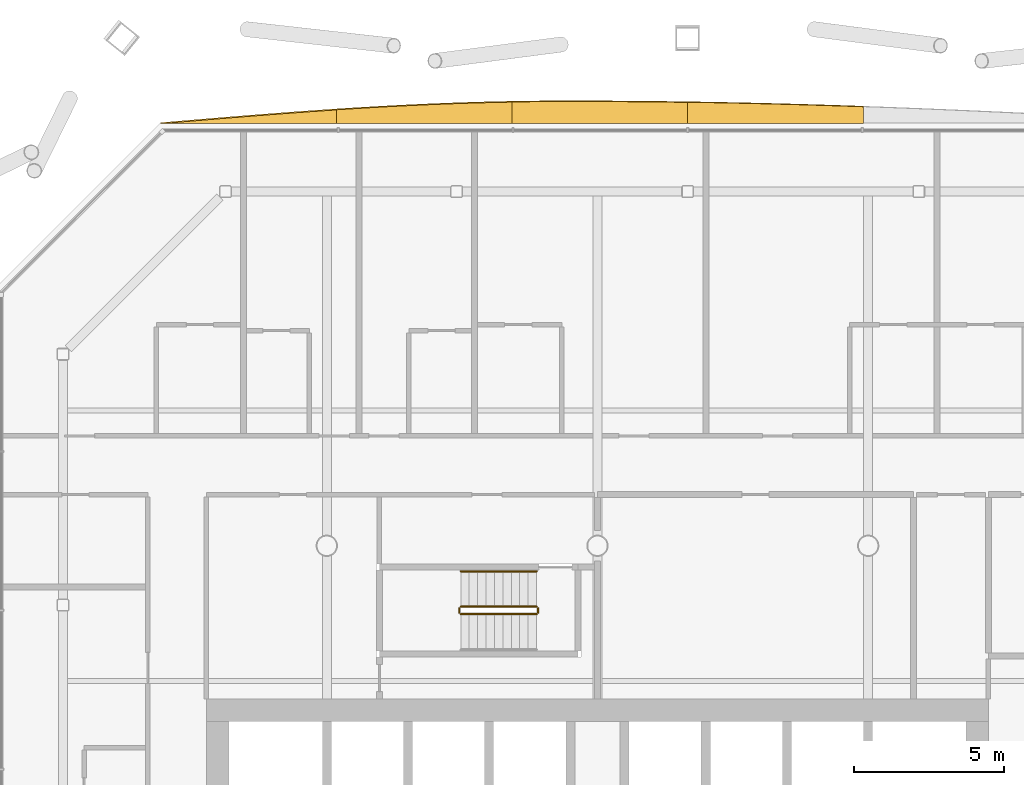
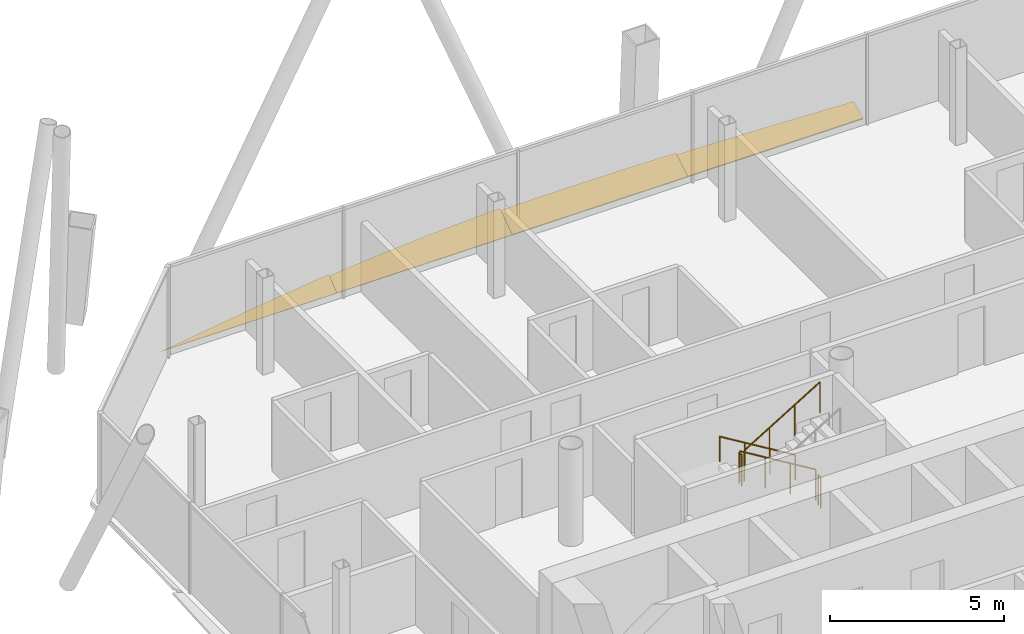
# One storey, part 22 of 23: 5 railings, 4 shading devices.
"""IFC4 building model written with IfcOpenShell, lengths in metres."""

from ifc_helpers import new_model, si_unit, direction, frame, origin, origin_2d, place, context, subcontext, project, spatial, polyline, circle, outline, extrude, material, layer, layer_set, type_object, element, save


model = new_model("IFC4")

# Units and contexts
model_context = context("Model", 3, precision=1e-05, world=origin(), true_north=direction((0.0, 1.0)))
body_context = subcontext(model_context, "Body", "Model", "MODEL_VIEW")
ifc_project = project(units=[si_unit("LENGTHUNIT", "METRE"), si_unit("AREAUNIT", "SQUARE_METRE"), si_unit("VOLUMEUNIT", "CUBIC_METRE"), si_unit("PLANEANGLEUNIT", "RADIAN"), si_unit("MASSUNIT", "GRAM", prefix="KILO")], contexts=[model_context])

# Site, building, storey
site_placement = place(None, origin())
site = spatial("IfcSite", under=ifc_project, at=site_placement, CompositionType="ELEMENT")
building_placement = place(site_placement, origin())
building = spatial("IfcBuilding", under=site, at=building_placement, Name="Tskaro Facet Tower", CompositionType="ELEMENT")
storey_placement = place(building_placement, frame((0.0, 0.0, 131.699951171875)))
storey = spatial("IfcBuildingStorey", under=building, at=storey_placement, Name="L31", CompositionType="ELEMENT", Elevation=131.699951171875)

# Shading devices
ifc_material_1 = material(Name="Bronze anodised aluminium 6063-T6", Category="aluminium")
ifc_layer = layer(ifc_material_1, 0.06005859375, Name="Bronze anodised aluminium 6063-T6")
ifc_layer_set = layer_set([ifc_layer], Name="Bronze anodised aluminium 6063-T6")
shading_device_type = type_object("IfcShadingDeviceType", Name="Bronze sun blade (FN1)", PredefinedType="USERDEFINED", material=ifc_layer_set)
shading_device_1_placement = place(storey_placement, frame((8.842041015625, 23.044677734375, 0.054443359375), z_axis=(-5.131444e-06, -0.422593021968, 0.906319556094), x_axis=(-0.999999999987, 2.168512e-06, -4.650728e-06)))
element("IfcShadingDevice", 1, at=shading_device_1_placement, inside=storey, type_object=shading_device_type, Name="Fin blade north 3", ObjectType="FIN", PredefinedType="USERDEFINED", context=body_context, shape_type="SweptSolid", body=[
    extrude(outline(polyline([(0.0, 0.0), (5.842041015548085, 0.0), (5.842041015405368, -0.7717748548825458), (5.111816405683811, -0.758338424875059), (4.381591796798027, -0.7429404204094098), (3.6513671876891713, -0.7251383026398437), (2.921142577751235, -0.7052565131137433), (2.1906738285534963, -0.683634418552358), (1.4604492191516742, -0.6599326522344382), (0.7302246094501929, -0.6343724835828614), (-5.509473705009816e-10, -0.6069539125976277), (0.0, 0.0)])), origin(), (0.0, 0.0, -1.0), 0.06005859375),
])
shading_device_2_placement = place(storey_placement, frame((3.0, 23.0400390625, 0.052001953125), z_axis=(9.076055e-06, -0.500023261244, 0.866011973435), x_axis=(-0.999999999959, -4.538239e-06, 7.859973e-06)))
element("IfcShadingDevice", 2, at=shading_device_2_placement, inside=storey, type_object=shading_device_type, Name="Fin blade north 4", ObjectType="FIN", PredefinedType="USERDEFINED", context=body_context, shape_type="SweptSolid", body=[
    extrude(outline(polyline([(0.0, 0.0), (5.842041015384382, -4.94840121944535e-21), (5.842041015960984, -0.8240703768234838), (5.111816405838912, -0.8364251396077412), (4.3815917970648846, -0.8426635589956297), (3.9958496081758055, -0.8434199211005312), (3.651367187422962, -0.8432084923960707), (2.920898437830071, -0.840695254098327), (2.1906738270232564, -0.836091634911761), (1.460449218512403, -0.829096853418971), (0.7302246103785728, -0.8195888336284375), (-4.0514173275458854e-10, -0.8076569282531013), (0.0, 0.0)])), origin(), (0.0, 0.0, -1.0), 0.06005859375),
])
shading_device_3_placement = place(storey_placement, frame((-2.842041015625, 23.03564453125, 0.04931640625), z_axis=(-1.4455511e-05, -0.573503659768, 0.819202998056), x_axis=(-0.999999999896, 8.290288e-06, -1.1841998e-05)))
element("IfcShadingDevice", 3, at=shading_device_3_placement, inside=storey, type_object=shading_device_type, Name="Fin blade north 5", ObjectType="FIN", PredefinedType="USERDEFINED", context=body_context, shape_type="SweptSolid", body=[
    extrude(outline(polyline([(0.0, 0.0), (5.842041015014619, 0.0), (5.842041015133305, -0.5593817960267177), (5.111816405875878, -0.6160040021800364), (4.381347656568659, -0.6684260426662996), (3.6511230473047145, -0.7161079004796206), (2.9208984363021924, -0.7585095586141132), (2.1906738264522048, -0.7954910015278271), (1.460449218621868, -0.8267122129468438), (0.7302246107871861, -0.8519731921391955), (-1.96695006938715e-09, -0.8712139539148642), (0.0, 0.0)])), origin(), (0.0, 0.0, -1.0), 0.06005859375),
])
shading_device_4_placement = place(storey_placement, frame((-8.68408203125, 23.031494140625, 0.0458984375), z_axis=(1.377924e-06, -0.643032131278, 0.76583919862), x_axis=(-0.999999999999, -8.8605e-07, 1.055269e-06)))
element("IfcShadingDevice", 4, at=shading_device_4_placement, inside=storey, type_object=shading_device_type, Name="Fin blade north 6", ObjectType="FIN", PredefinedType="USERDEFINED", context=body_context, shape_type="SweptSolid", body=[
    extrude(outline(polyline([(0.0, 0.0), (5.841796874994455, 6.185243030365264e-22), (5.1115722657670295, -0.08074295928058202), (4.381347656240658, -0.16098496556771263), (3.6511230468066675, -0.2400081112131643), (2.9208984376400657, -0.3172814610293102), (2.1906738281842713, -0.3921470717562737), (1.4604492186556055, -0.46441797093345394), (0.730224609187762, -0.5332192606461981), (-2.9379740062167003e-12, -0.5983639684339054), (0.0, 0.0)])), origin(), (0.0, 0.0, -1.0), 0.06005859375),
])

# Railings
ifc_material_2 = material(Name="Stainless steel", Category="steel")
railing_type_1 = type_object("IfcRailingType", Name="RL-GUARD-1100", PredefinedType="GUARDRAIL", material=ifc_material_2)
railing_1_placement = place(storey_placement, frame((-2.02490234375, 6.97509765625, 0.170166015625)))
element("IfcRailing", 5, at=railing_1_placement, inside=storey, type_object=railing_type_1, Name="L31 ST-3 stair guard 1", PredefinedType="GUARDRAIL", context=body_context, shape_type="SweptSolid", body=[
    extrude(circle(Radius=0.02392578125, at=origin_2d()), frame((0.0, 0.0, 1.076171875), z_axis=(-0.854821627497, 0.0, 0.518921945155), x_axis=(0.0, -1.0, 0.0)), (0.0, 0.0, 1.0), 2.947998046875),
    extrude(circle(Radius=0.02099609375, at=origin_2d()), origin(), (0.0, 0.0, 1.0), 1.052001953125),
    extrude(circle(Radius=0.02099609375, at=origin_2d()), frame((-0.840087890625, 0.0, 0.510009765625)), (0.0, 0.0, 1.0), 1.052001953125),
    extrude(circle(Radius=0.02099609375, at=origin_2d()), frame((-1.679931640625, 0.0, 1.019775390625)), (0.0, 0.0, 1.0), 1.052001953125),
    extrude(circle(Radius=0.02099609375, at=origin_2d()), frame((-2.52001953125, 0.0, 1.52978515625)), (0.0, 0.0, 1.0), 1.052001953125),
])
railing_2_placement = place(storey_placement, frame((-4.594970703125, 6.925048828125, 1.699951171875)))
element("IfcRailing", 6, at=railing_2_placement, inside=storey, type_object=railing_type_1, Name="L31 ST-3 stair guard 2", PredefinedType="GUARDRAIL", context=body_context, shape_type="SweptSolid", body=[
    extrude(circle(Radius=0.02392578125, at=origin_2d()), frame((0.0, 0.0, 1.076171875), z_axis=(0.0, -1.0, 0.0), x_axis=(1.0, 0.0, 0.0)), (0.0, 0.0, 1.0), 0.150146484375),
    extrude(circle(Radius=0.02099609375, at=origin_2d()), origin(), (0.0, 0.0, 1.0), 1.052001953125),
    extrude(circle(Radius=0.02099609375, at=origin_2d()), frame((0.0, -0.150146484375, 0.0)), (0.0, 0.0, 1.0), 1.052001953125),
])
railing_3_placement = place(storey_placement, frame((-4.544921875, 6.72509765625, 1.8701171875)))
element("IfcRailing", 7, at=railing_3_placement, inside=storey, type_object=railing_type_1, Name="L31 ST-3 stair guard 3", PredefinedType="GUARDRAIL", context=body_context, shape_type="SweptSolid", body=[
    extrude(circle(Radius=0.02392578125, at=origin_2d()), frame((0.0, 0.0, 1.076171875), z_axis=(0.85478489116, 0.0, 0.518982456201), x_axis=(0.0, 1.0, 0.0)), (0.0, 0.0, 1.0), 2.9482421875),
    extrude(circle(Radius=0.02099609375, at=origin_2d()), origin(), (0.0, 0.0, 1.0), 1.052001953125),
    extrude(circle(Radius=0.02099609375, at=origin_2d()), frame((0.840087890625, 0.0, 0.510009765625)), (0.0, 0.0, 1.0), 1.052001953125),
    extrude(circle(Radius=0.02099609375, at=origin_2d()), frame((1.679931640625, 0.0, 1.02001953125)), (0.0, 0.0, 1.0), 1.052001953125),
    extrude(circle(Radius=0.02099609375, at=origin_2d()), frame((2.52001953125, 0.0, 1.530029296875)), (0.0, 0.0, 1.0), 1.052001953125),
])
railing_4_placement = place(storey_placement, frame((-1.97509765625, 6.925048828125, 0.0)))
element("IfcRailing", 8, at=railing_4_placement, inside=storey, type_object=railing_type_1, Name="L31 ST-3 stair guard 4", PredefinedType="GUARDRAIL", context=body_context, shape_type="SweptSolid", body=[
    extrude(circle(Radius=0.02392578125, at=origin_2d()), frame((0.0, 0.0, 1.076171875), z_axis=(0.0, -1.0, 0.0), x_axis=(1.0, 0.0, 0.0)), (0.0, 0.0, 1.0), 0.150146484375),
    extrude(circle(Radius=0.02099609375, at=origin_2d()), origin(), (0.0, 0.0, 1.0), 1.052001953125),
    extrude(circle(Radius=0.02099609375, at=origin_2d()), frame((0.0, -0.150146484375, 0.0)), (0.0, 0.0, 1.0), 1.052001953125),
])
railing_type_2 = type_object("IfcRailingType", Name="RL-HANDRAIL-900", PredefinedType="HANDRAIL", material=ifc_material_2)
railing_5_placement = place(storey_placement, frame((-2.02490234375, 8.14990234375, 0.170166015625)))
element("IfcRailing", 9, at=railing_5_placement, inside=storey, type_object=railing_type_2, Name="L31 ST-3 stair handrail 1", PredefinedType="HANDRAIL", context=body_context, shape_type="SweptSolid", body=[
    extrude(circle(Radius=0.02392578125, at=origin_2d()), frame((0.0, 0.0, 0.8759765625), z_axis=(-0.854821627497, 0.0, 0.518921945155), x_axis=(0.0, -1.0, 0.0)), (0.0, 0.0, 1.0), 2.947998046875),
    extrude(circle(Radius=0.02099609375, at=origin_2d()), origin(), (0.0, 0.0, 1.0), 0.851806640625),
    extrude(circle(Radius=0.02099609375, at=origin_2d()), frame((-0.840087890625, 0.0, 0.510009765625)), (0.0, 0.0, 1.0), 0.851806640625),
    extrude(circle(Radius=0.02099609375, at=origin_2d()), frame((-1.679931640625, 0.0, 1.019775390625)), (0.0, 0.0, 1.0), 0.851806640625),
    extrude(circle(Radius=0.02099609375, at=origin_2d()), frame((-2.52001953125, 0.0, 1.52978515625)), (0.0, 0.0, 1.0), 0.851806640625),
])

save(model, "model.ifc")
